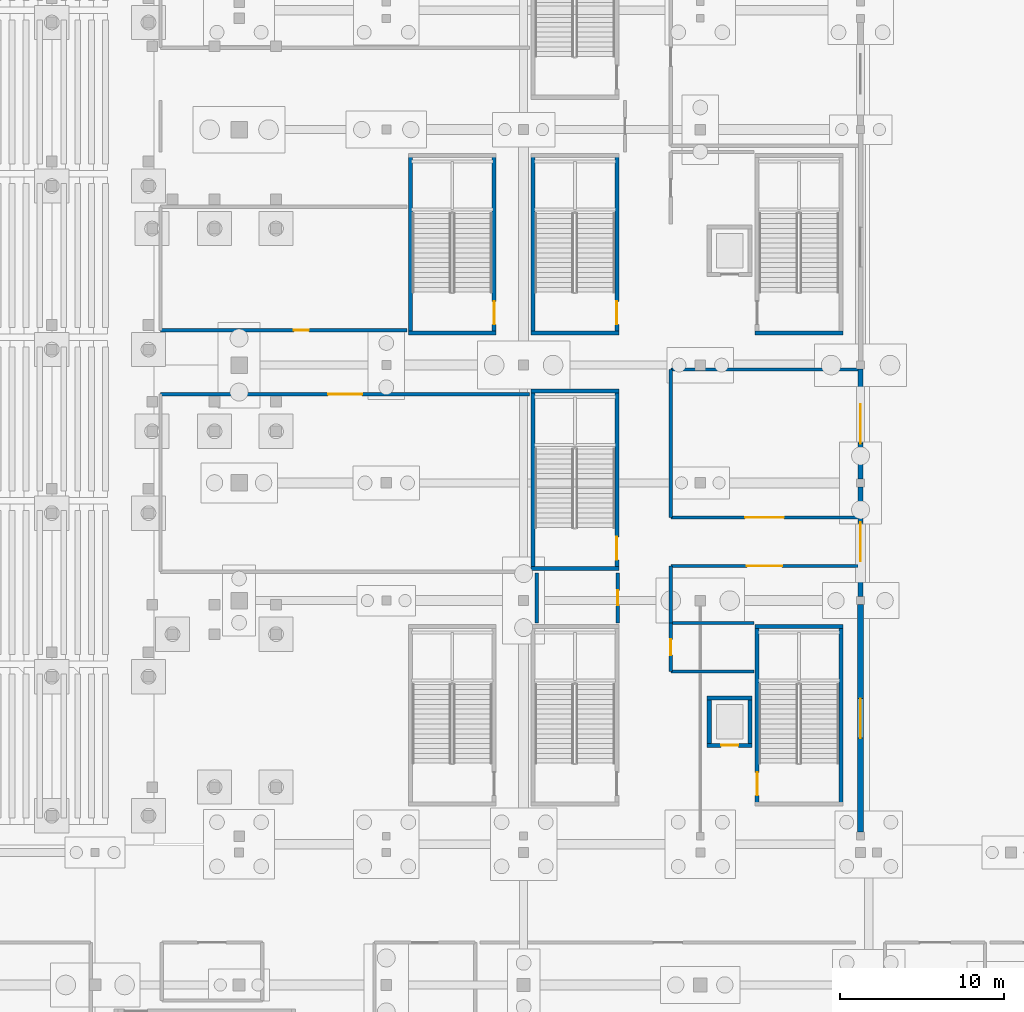
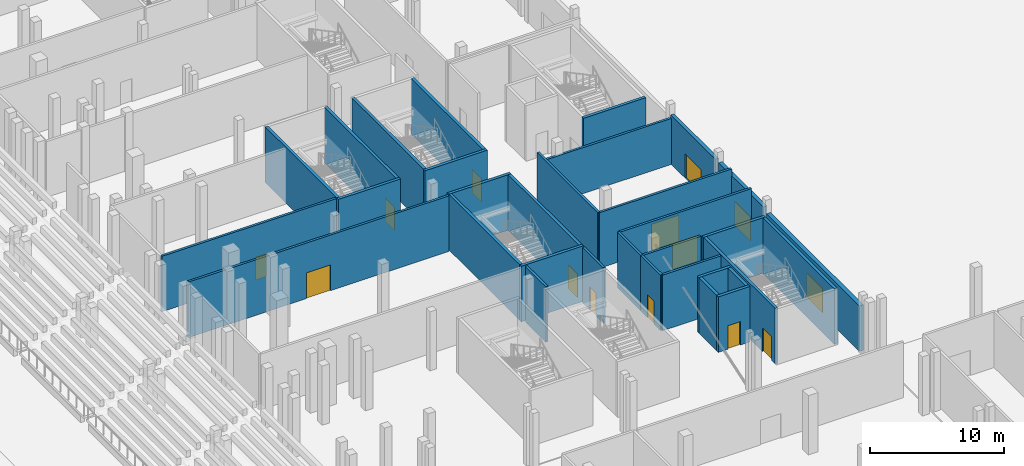
# One storey, part 42 of 89: 33 walls, 14 doors, 14 openings.
"""IFC4 building model written with IfcOpenShell, lengths in metres."""

import ifcopenshell
import ifcopenshell.guid

model = None  # the IFC model being written
_history = None  # IfcOwnerHistory: only IFC2X3 demands one
_inside = {}  # id of a spatial element -> (the spatial element, [elements in it])
_under = {}  # id of a project, library or spatial element -> (it, [spatial elements below it])
_declared = {}  # id of a project -> (the project, [libraries it declares])
_typed = {}  # id of a type object -> (the type object, [elements of that type])
_made_of = {}  # id of a material, layer set ... -> (it, [elements and type objects made of it])


def new_model(schema):
    """Start an empty IFC model of exactly this schema.

    Asked for "IFC4X3", IfcOpenShell would pick the latest addendum, in which some entities
    have other attributes; the version numbers below select the first issue.
    IFC2X3 requires an IfcOwnerHistory on every rooted entity: one is made here for all.
    """
    global model, _history
    if schema == "IFC4X3":
        model = ifcopenshell.file(schema_version=(4, 3, 0, 0))
    else:
        model = ifcopenshell.file(schema=schema)
    _inside.clear()
    _under.clear()
    _declared.clear()
    _typed.clear()
    _made_of.clear()
    _history = None
    if model.schema == "IFC2X3":
        org = make("IfcOrganization", Name="unknown")
        user = make(
            "IfcPersonAndOrganization",
            ThePerson=make("IfcPerson", FamilyName="unknown"),
            TheOrganization=org,
        )
        app = make(
            "IfcApplication",
            ApplicationDeveloper=org,
            Version="unknown",
            ApplicationFullName="unknown",
            ApplicationIdentifier="unknown",
        )
        _history = make(
            "IfcOwnerHistory",
            OwningUser=user,
            OwningApplication=app,
            ChangeAction="ADDED",
            CreationDate=0,
        )
    return model


def make(cls, **values):
    """One entity of the class cls with the attributes given. An attribute that is None is left unset."""
    return model.create_entity(
        cls, **{name: value for name, value in values.items() if value is not None}
    )


def rooted(cls, **values):
    """An entity with a GlobalId (a new one), such as an element, a storey or a relation."""
    return make(cls, GlobalId=ifcopenshell.guid.new(), OwnerHistory=_history, **values)


def si_unit(unit_type, name, prefix=None):
    """IfcSIUnit, for example si_unit("LENGTHUNIT", "METRE", prefix="MILLI")."""
    return make("IfcSIUnit", UnitType=unit_type, Prefix=prefix, Name=name)


def assignment(units):
    """IfcUnitAssignment: the units of a project."""
    return None if units is None else make("IfcUnitAssignment", Units=units)


def point(xyz):
    """IfcCartesianPoint."""
    return None if xyz is None else make("IfcCartesianPoint", Coordinates=xyz)


def direction(xyz):
    """IfcDirection."""
    return None if xyz is None else make("IfcDirection", DirectionRatios=xyz)


def frame(location, z_axis=None, x_axis=None):
    """IfcAxis2Placement3D, a coordinate frame: its origin and axes. An axis left out is left unset."""
    return make(
        "IfcAxis2Placement3D",
        Location=point(location),
        Axis=direction(z_axis),
        RefDirection=direction(x_axis),
    )


def frame_2d(location, x_axis=None):
    """IfcAxis2Placement2D, a coordinate frame in the plane: its origin and x axis."""
    return make(
        "IfcAxis2Placement2D", Location=point(location), RefDirection=direction(x_axis)
    )


def origin():
    """The frame at (0, 0, 0) with its axes left unset."""
    return frame((0.0, 0.0, 0.0))


def place(relative_to, where):
    """IfcLocalPlacement: puts the frame where relative to a parent placement (None: the world)."""
    return make(
        "IfcLocalPlacement", PlacementRelTo=relative_to, RelativePlacement=where
    )


def context(
    kind, dimensions, precision=None, world=None, true_north=None, identifier=None
):
    """IfcGeometricRepresentationContext, for example the 3D "Model" context."""
    return make(
        "IfcGeometricRepresentationContext",
        ContextIdentifier=identifier,
        ContextType=kind,
        CoordinateSpaceDimension=dimensions,
        Precision=precision,
        WorldCoordinateSystem=world,
        TrueNorth=true_north,
    )


def subcontext(parent, identifier, kind, view, scale=None):
    """IfcGeometricRepresentationSubContext, for example "Body" below "Model"."""
    return make(
        "IfcGeometricRepresentationSubContext",
        ContextIdentifier=identifier,
        ContextType=kind,
        ParentContext=parent,
        TargetScale=scale,
        TargetView=view,
    )


def project(units=None, contexts=None):
    """IfcProject with its units and contexts."""
    return rooted(
        "IfcProject",
        Name="project",
        RepresentationContexts=contexts,
        UnitsInContext=assignment(units),
    )


def spatial(cls, under=None, at=None, **own):
    """A site, building, storey or space (cls), placed at a placement, below another one or the project."""
    s = rooted(cls, ObjectPlacement=at, **own)
    if under is not None:
        _under.setdefault(under.id(), (under, []))[1].append(s)
    return s


def profile(cls, at=None, kind="AREA", **sizes):
    """A parametric profile (cls). Its sizes go by their IFC names, for example OverallWidth=200.0."""
    return make(cls, ProfileType=kind, Position=at, **sizes)


def rectangle(**sizes):
    """IfcRectangleProfileDef."""
    return profile("IfcRectangleProfileDef", **sizes)


def extrude(swept, where, along, depth):
    """IfcExtrudedAreaSolid: the profile swept, set in the frame where, extruded along a direction by depth."""
    return make(
        "IfcExtrudedAreaSolid",
        SweptArea=swept,
        Position=where,
        ExtrudedDirection=direction(along),
        Depth=depth,
    )


def shape(context_of_items, identifier, shape_type, items):
    """IfcShapeRepresentation: the items that make up one representation, for example the "Body"."""
    return make(
        "IfcShapeRepresentation",
        ContextOfItems=context_of_items,
        RepresentationIdentifier=identifier,
        RepresentationType=shape_type,
        Items=items,
    )


def material(Name=None, Category=None):
    """IfcMaterial."""
    return make("IfcMaterial", Name=Name, Category=Category)


def layer(
    of_material, thickness, ventilated=None, Name=None, Category=None, Priority=None
):
    """IfcMaterialLayer: one layer of a wall or slab, of a material (None: an air gap)."""
    return make(
        "IfcMaterialLayer",
        Material=of_material,
        LayerThickness=thickness,
        IsVentilated=ventilated,
        Name=Name,
        Category=Category,
        Priority=Priority,
    )


def layer_set(layers, Name=None):
    """IfcMaterialLayerSet."""
    return make("IfcMaterialLayerSet", MaterialLayers=layers, LayerSetName=Name)


def made_of(thing, what):
    """Note that an element or type object is made of a material, layer set ...; save() writes the relation."""
    if what is not None:
        _made_of.setdefault(what.id(), (what, []))[1].append(thing)
    return thing


def type_object(cls, material=None, **own):
    """A type object (cls), such as IfcWallType, which elements share."""
    return made_of(rooted(cls, **own), material)


def element(
    cls,
    number,
    at=None,
    inside=None,
    cuts=None,
    type_object=None,
    material=None,
    context=None,
    identifier="Body",
    shape_type=None,
    held_by="IfcProductDefinitionShape",
    body=None,
    shapes=None,
    **own,
):
    """One element of the class cls, such as IfcWall. Its Tag is "e" and its number.

    at: its placement. inside: the storey or other place that contains it. cuts: it is an
    opening in that element (IfcRelVoidsElement). A single representation is given by context,
    identifier, shape_type and body (its items); several are given by shapes. held_by: the class
    of the entity that holds the representations. save() writes the other relations.
    """
    e = rooted(cls, Tag="e%d" % number, ObjectPlacement=at, **own)
    if body is not None:
        shapes = [shape(context, identifier, shape_type, body)]
    if shapes is not None:
        e.Representation = make(held_by, Representations=shapes)
    if inside is not None:
        _inside.setdefault(inside.id(), (inside, []))[1].append(e)
    if cuts is not None:
        rooted(
            "IfcRelVoidsElement", RelatingBuildingElement=cuts, RelatedOpeningElement=e
        )
    if type_object is not None:
        _typed.setdefault(type_object.id(), (type_object, []))[1].append(e)
    return made_of(e, material)


def fill(opening, filler):
    """IfcRelFillsElement: the door or window that sits in an opening."""
    return rooted(
        "IfcRelFillsElement",
        RelatingOpeningElement=opening,
        RelatedBuildingElement=filler,
    )


def aggregate(whole, parts):
    """IfcRelAggregates: a whole, such as a stair, and the parts it consists of."""
    return rooted("IfcRelAggregates", RelatingObject=whole, RelatedObjects=parts)


def save(model, path):
    """Write the relations noted so far, then the file.

    IfcRelAggregates (storeys below a building ...), IfcRelContainedInSpatialStructure (elements
    in a storey), IfcRelDefinesByType, IfcRelAssociatesMaterial and IfcRelDeclares: one each for
    every whole, place, type object, material and project.
    """
    for whole, parts in _under.values():
        aggregate(whole, parts)
    for where, things in _inside.values():
        rooted(
            "IfcRelContainedInSpatialStructure",
            RelatedElements=things,
            RelatingStructure=where,
        )
    for kind, things in _typed.values():
        rooted("IfcRelDefinesByType", RelatedObjects=things, RelatingType=kind)
    for what, things in _made_of.values():
        rooted("IfcRelAssociatesMaterial", RelatedObjects=things, RelatingMaterial=what)
    for by, libraries in _declared.values():
        rooted("IfcRelDeclares", RelatingContext=by, RelatedDefinitions=libraries)
    model.write(path)


model = new_model("IFC4")

# Units and contexts
model_context = context("Model", 3, precision=1e-05, world=origin(), true_north=direction((0.0, 1.0)))
body_context = subcontext(model_context, "Body", "Model", "MODEL_VIEW")
ifc_project = project(units=[si_unit("LENGTHUNIT", "METRE"), si_unit("AREAUNIT", "SQUARE_METRE"), si_unit("VOLUMEUNIT", "CUBIC_METRE"), si_unit("PLANEANGLEUNIT", "RADIAN"), si_unit("MASSUNIT", "GRAM", prefix="KILO")], contexts=[model_context])

# Site, building, storey
site_placement = place(None, origin())
site = spatial("IfcSite", under=ifc_project, at=site_placement, CompositionType="ELEMENT")
building_placement = place(site_placement, origin())
building = spatial("IfcBuilding", under=site, at=building_placement, Name="Koshinbarg Plaza Stadium", CompositionType="ELEMENT")
storey_placement = place(building_placement, origin())
storey = spatial("IfcBuildingStorey", under=building, at=storey_placement, Name="L00", CompositionType="ELEMENT", Elevation=0.0)

# Wall
ifc_material_1 = material(Name="Concrete C40/50", Category="concrete")
ifc_layer_1 = layer(ifc_material_1, 0.25)
ifc_layer_set_1 = layer_set([ifc_layer_1], Name="Concrete C40/50")
wall_type_1 = type_object("IfcWallType", Name="WL-CORE-250", PredefinedType="SHEAR", material=ifc_layer_set_1)
wall_1_placement = place(storey_placement, frame((217.320068359375, 38.324951171875, 0.0), z_axis=(0.0, 0.0, 1.0), x_axis=(-1.0, 0.0, 0.0)))
element("IfcWall", 1, at=wall_1_placement, inside=storey, type_object=wall_type_1, Name="L00 core stair shear wall C07-far IWL-L00-0163", PredefinedType="SHEAR", context=body_context, shape_type="SweptSolid", body=[
    extrude(rectangle(XDim=5.3701171875, YDim=0.25, at=frame_2d((2.68505859375, 0.0))), origin(), (0.0, 0.0, 1.0), 5.080078125),
])

# Wall, opening, door
wall_2_placement = place(storey_placement, frame((212.074951171875, 27.47509765625, 0.0), z_axis=(0.0, 0.0, 1.0), x_axis=(0.0, 1.0, 0.0)))
wall_2 = element("IfcWall", 2, at=wall_2_placement, inside=storey, type_object=wall_type_1, Name="L00 core stair shear wall C07-left IWL-L00-0164", PredefinedType="SHEAR", context=body_context, shape_type="SweptSolid", body=[
    extrude(rectangle(XDim=10.849853515625, YDim=0.25, at=frame_2d((5.4248046875, 0.0))), origin(), (0.0, 0.0, 1.0), 5.080078125),
])
opening_1_placement = place(wall_2_placement, frame((0.52001953125, 0.0, 0.0)))
opening_1 = element("IfcOpeningElement", 3, at=opening_1_placement, cuts=wall_2, Name="Opening D-0103", PredefinedType="OPENING", context=body_context, shape_type="SweptSolid", body=[
    extrude(rectangle(XDim=1.39990234375, YDim=2.14990234375, at=frame_2d((0.699951171875, 1.074951171875))), frame((0.0, 0.135009765625, 0.0), z_axis=(0.0, -1.0, 0.0), x_axis=(1.0, 0.0, 0.0)), (0.0, 0.0, 1.0), 0.27001953125),
])
ifc_material_2 = material(Name="Painted galvanized steel fire door", Category="steel")
door_type_1 = type_object("IfcDoorType", Name="DR-STAIR-1400", OperationType="NOTDEFINED", PredefinedType="DOOR", material=ifc_material_2)
door_1_placement = place(opening_1_placement, origin())
door_1 = element("IfcDoor", 4, at=door_1_placement, inside=storey, type_object=door_type_1, Name="L00 exit stair door C07", OperationType="SINGLE_SWING_RIGHT", OverallHeight=2.14990234375, OverallWidth=1.39990234375, PredefinedType="DOOR", context=body_context, shape_type="SweptSolid", body=[
    extrude(rectangle(XDim=1.39990234375, YDim=2.14990234375, at=frame_2d((0.699951171875, 1.074951171875))), frame((0.0, 0.02490234375, 0.0), z_axis=(0.0, -1.0, 0.0), x_axis=(1.0, 0.0, 0.0)), (0.0, 0.0, 1.0), 0.050048828125),
])
fill(opening_1, door_1)

# Walls
wall_3_placement = place(storey_placement, frame((217.195068359375, 27.47509765625, 0.0), z_axis=(0.0, 0.0, 1.0), x_axis=(0.0, 1.0, 0.0)))
element("IfcWall", 5, at=wall_3_placement, inside=storey, type_object=wall_type_1, Name="L00 core stair shear wall C07-right IWL-L00-0165", PredefinedType="SHEAR", context=body_context, shape_type="SweptSolid", body=[
    extrude(rectangle(XDim=10.849853515625, YDim=0.25, at=frame_2d((5.4248046875, 0.0))), origin(), (0.0, 0.0, 1.0), 5.080078125),
])
for number, where, z_axis, x_axis, name in (
    (6, (211.949951171875, 56.27490234375, 0.0), (0.0, 0.0, 1.0), (1.0, 0.0, 0.0), "L00 core stair shear wall C08-near IWL-L00-0186"),
    (7, (198.25, 41.875, 0.0), (0.0, 0.0, 1.0), (1.0, 0.0, 0.0), "L00 vomitory stair shear wall VX08-near IWL-L00-0466"),
    (8, (203.6201171875, 52.72509765625, 0.0), (0.0, 0.0, 1.0), (-1.0, 0.0, 0.0), "L00 vomitory stair shear wall VX08-far IWL-L00-0467"),
):
    element("IfcWall", number, at=place(storey_placement, frame(where, z_axis=z_axis, x_axis=x_axis)), inside=storey, type_object=wall_type_1, Name=name, PredefinedType="SHEAR", context=body_context, shape_type="SweptSolid", body=[
        extrude(rectangle(XDim=5.3701171875, YDim=0.25, at=frame_2d((2.68505859375, 0.0))), origin(), (0.0, 0.0, 1.0), 5.080078125),
    ])
wall_4_placement = place(storey_placement, frame((198.375, 41.875, 0.0), z_axis=(0.0, 0.0, 1.0), x_axis=(0.0, 1.0, 0.0)))
element("IfcWall", 9, at=wall_4_placement, inside=storey, type_object=wall_type_1, Name="L00 vomitory stair shear wall VX08-left IWL-L00-0468", PredefinedType="SHEAR", context=body_context, shape_type="SweptSolid", body=[
    extrude(rectangle(XDim=10.85009765625, YDim=0.25, at=frame_2d((5.425048828125, 0.0))), origin(), (0.0, 0.0, 1.0), 5.080078125),
])

# Wall, opening, door
wall_5_placement = place(storey_placement, frame((203.4951171875, 41.875, 0.0), z_axis=(0.0, 0.0, 1.0), x_axis=(0.0, 1.0, 0.0)))
wall_5 = element("IfcWall", 10, at=wall_5_placement, inside=storey, type_object=wall_type_1, Name="L00 vomitory stair shear wall VX08-right IWL-L00-0469", PredefinedType="SHEAR", context=body_context, shape_type="SweptSolid", body=[
    extrude(rectangle(XDim=10.85009765625, YDim=0.25, at=frame_2d((5.425048828125, 0.0))), origin(), (0.0, 0.0, 1.0), 5.080078125),
])
opening_2_placement = place(wall_5_placement, frame((0.52001953125, 0.0, 0.0)))
opening_2 = element("IfcOpeningElement", 11, at=opening_2_placement, cuts=wall_5, Name="Opening D-0179", PredefinedType="OPENING", context=body_context, shape_type="SweptSolid", body=[
    extrude(rectangle(XDim=1.39990234375, YDim=2.14990234375, at=frame_2d((0.699951171875, 1.074951171875))), frame((0.0, 0.135009765625, 0.0), z_axis=(0.0, -1.0, 0.0), x_axis=(1.0, 0.0, 0.0)), (0.0, 0.0, 1.0), 0.27001953125),
])
door_2_placement = place(opening_2_placement, frame((1.39990234375, 0.0, 0.0), z_axis=(0.0, 0.0, 1.0), x_axis=(-1.0, 0.0, 0.0)))
door_2 = element("IfcDoor", 12, at=door_2_placement, inside=storey, type_object=door_type_1, Name="L00 vomitory exit stair door VX08", OperationType="SINGLE_SWING_LEFT", OverallHeight=2.14990234375, OverallWidth=1.39990234375, PredefinedType="DOOR", context=body_context, shape_type="SweptSolid", body=[
    extrude(rectangle(XDim=1.39990234375, YDim=2.14990234375, at=frame_2d((0.699951171875, 1.074951171875))), frame((0.0, 0.02490234375, 0.0), z_axis=(0.0, -1.0, 0.0), x_axis=(1.0, 0.0, 0.0)), (0.0, 0.0, 1.0), 0.050048828125),
])
fill(opening_2, door_2)

# Walls
wall_6_placement = place(storey_placement, frame((198.25, 56.27490234375, 0.0), z_axis=(0.0, 0.0, 1.0), x_axis=(1.0, 0.0, 0.0)))
element("IfcWall", 13, at=wall_6_placement, inside=storey, type_object=wall_type_1, Name="L00 vomitory stair shear wall VX09-near IWL-L00-0482", PredefinedType="SHEAR", context=body_context, shape_type="SweptSolid", body=[
    extrude(rectangle(XDim=5.3701171875, YDim=0.25, at=frame_2d((2.68505859375, 0.0))), origin(), (0.0, 0.0, 1.0), 5.080078125),
])
wall_7_placement = place(storey_placement, frame((198.375, 56.27490234375, 0.0), z_axis=(0.0, 0.0, 1.0), x_axis=(0.0, 1.0, 0.0)))
element("IfcWall", 14, at=wall_7_placement, inside=storey, type_object=wall_type_1, Name="L00 vomitory stair shear wall VX09-left IWL-L00-0484", PredefinedType="SHEAR", context=body_context, shape_type="SweptSolid", body=[
    extrude(rectangle(XDim=10.85009765625, YDim=0.25, at=frame_2d((5.425048828125, 0.0))), origin(), (0.0, 0.0, 1.0), 5.080078125),
])

# Wall, opening, door
wall_8_placement = place(storey_placement, frame((203.4951171875, 56.27490234375, 0.0), z_axis=(0.0, 0.0, 1.0), x_axis=(0.0, 1.0, 0.0)))
wall_8 = element("IfcWall", 15, at=wall_8_placement, inside=storey, type_object=wall_type_1, Name="L00 vomitory stair shear wall VX09-right IWL-L00-0485", PredefinedType="SHEAR", context=body_context, shape_type="SweptSolid", body=[
    extrude(rectangle(XDim=10.85009765625, YDim=0.25, at=frame_2d((5.425048828125, 0.0))), origin(), (0.0, 0.0, 1.0), 5.080078125),
])
opening_3_placement = place(wall_8_placement, frame((0.52001953125, 0.0, 0.0)))
opening_3 = element("IfcOpeningElement", 16, at=opening_3_placement, cuts=wall_8, Name="Opening D-0183", PredefinedType="OPENING", context=body_context, shape_type="SweptSolid", body=[
    extrude(rectangle(XDim=1.39990234375, YDim=2.14990234375, at=frame_2d((0.699951171875, 1.074951171875))), frame((0.0, 0.135009765625, 0.0), z_axis=(0.0, -1.0, 0.0), x_axis=(1.0, 0.0, 0.0)), (0.0, 0.0, 1.0), 0.27001953125),
])
door_3_placement = place(opening_3_placement, frame((1.39990234375, 0.0, 0.0), z_axis=(0.0, 0.0, 1.0), x_axis=(-1.0, 0.0, 0.0)))
door_3 = element("IfcDoor", 17, at=door_3_placement, inside=storey, type_object=door_type_1, Name="L00 vomitory exit stair door VX09", OperationType="SINGLE_SWING_RIGHT", OverallHeight=2.14990234375, OverallWidth=1.39990234375, PredefinedType="DOOR", context=body_context, shape_type="SweptSolid", body=[
    extrude(rectangle(XDim=1.39990234375, YDim=2.14990234375, at=frame_2d((0.699951171875, 1.074951171875))), frame((0.0, 0.02490234375, 0.0), z_axis=(0.0, -1.0, 0.0), x_axis=(1.0, 0.0, 0.0)), (0.0, 0.0, 1.0), 0.050048828125),
])
fill(opening_3, door_3)

# Walls
wall_9_placement = place(storey_placement, frame((190.75, 56.27490234375, 0.0), z_axis=(0.0, 0.0, 1.0), x_axis=(1.0, 0.0, 0.0)))
element("IfcWall", 18, at=wall_9_placement, inside=storey, type_object=wall_type_1, Name="L00 vomitory stair shear wall VL06-near IWL-L00-0586", PredefinedType="SHEAR", context=body_context, shape_type="SweptSolid", body=[
    extrude(rectangle(XDim=5.3701171875, YDim=0.25, at=frame_2d((2.68505859375, 0.0))), origin(), (0.0, 0.0, 1.0), 5.080078125),
])
wall_10_placement = place(storey_placement, frame((190.875, 56.27490234375, 0.0), z_axis=(0.0, 0.0, 1.0), x_axis=(0.0, 1.0, 0.0)))
element("IfcWall", 19, at=wall_10_placement, inside=storey, type_object=wall_type_1, Name="L00 vomitory stair shear wall VL06-left IWL-L00-0588", PredefinedType="SHEAR", context=body_context, shape_type="SweptSolid", body=[
    extrude(rectangle(XDim=10.85009765625, YDim=0.25, at=frame_2d((5.425048828125, 0.0))), origin(), (0.0, 0.0, 1.0), 5.080078125),
])

# Wall, opening, door
wall_11_placement = place(storey_placement, frame((195.9951171875, 56.27490234375, 0.0), z_axis=(0.0, 0.0, 1.0), x_axis=(0.0, 1.0, 0.0)))
wall_11 = element("IfcWall", 20, at=wall_11_placement, inside=storey, type_object=wall_type_1, Name="L00 vomitory stair shear wall VL06-right IWL-L00-0589", PredefinedType="SHEAR", context=body_context, shape_type="SweptSolid", body=[
    extrude(rectangle(XDim=10.85009765625, YDim=0.25, at=frame_2d((5.425048828125, 0.0))), origin(), (0.0, 0.0, 1.0), 5.080078125),
])
opening_4_placement = place(wall_11_placement, frame((0.52001953125, 0.0, 0.0)))
opening_4 = element("IfcOpeningElement", 21, at=opening_4_placement, cuts=wall_11, Name="Opening D-0209", PredefinedType="OPENING", context=body_context, shape_type="SweptSolid", body=[
    extrude(rectangle(XDim=1.39990234375, YDim=2.14990234375, at=frame_2d((0.699951171875, 1.074951171875))), frame((0.0, 0.135009765625, 0.0), z_axis=(0.0, -1.0, 0.0), x_axis=(1.0, 0.0, 0.0)), (0.0, 0.0, 1.0), 0.27001953125),
])
door_4_placement = place(opening_4_placement, frame((1.39990234375, 0.0, 0.0), z_axis=(0.0, 0.0, 1.0), x_axis=(-1.0, 0.0, 0.0)))
door_4 = element("IfcDoor", 22, at=door_4_placement, inside=storey, type_object=door_type_1, Name="L00 vomitory exit stair door VL06", OperationType="SINGLE_SWING_LEFT", OverallHeight=2.14990234375, OverallWidth=1.39990234375, PredefinedType="DOOR", context=body_context, shape_type="SweptSolid", body=[
    extrude(rectangle(XDim=1.39990234375, YDim=2.14990234375, at=frame_2d((0.699951171875, 1.074951171875))), frame((0.0, 0.02490234375, 0.0), z_axis=(0.0, -1.0, 0.0), x_axis=(1.0, 0.0, 0.0)), (0.0, 0.0, 1.0), 0.050048828125),
])
fill(opening_4, door_4)

wall_12_placement = place(storey_placement, frame((209.02490234375, 31.050048828125, 0.0), z_axis=(0.0, 0.0, 1.0), x_axis=(1.0, 0.0, 0.0)))
wall_12 = element("IfcWall", 23, at=wall_12_placement, inside=storey, type_object=wall_type_1, Name="L00 lift shaft shear wall LP03-S IWL-L00-0862", PredefinedType="SHEAR", context=body_context, shape_type="SweptSolid", body=[
    extrude(rectangle(XDim=2.75, YDim=0.25, at=frame_2d((1.375, 0.0))), origin(), (0.0, 0.0, 1.0), 5.080078125),
])
opening_5_placement = place(wall_12_placement, frame((0.85009765625, 0.0, 0.0)))
opening_5 = element("IfcOpeningElement", 24, at=opening_5_placement, cuts=wall_12, Name="Opening D-0285", PredefinedType="OPENING", context=body_context, shape_type="SweptSolid", body=[
    extrude(rectangle(XDim=1.050048828125, YDim=2.14990234375, at=frame_2d((0.52490234375, 1.074951171875))), frame((0.0, 0.135009765625, 0.0), z_axis=(0.0, -1.0, 0.0), x_axis=(1.0, 0.0, 0.0)), (0.0, 0.0, 1.0), 0.27001953125),
])
ifc_material_3 = material(Name="Brushed stainless steel sliding lift landing door", Category="steel")
door_type_2 = type_object("IfcDoorType", Name="DR-LIFT-1050", OperationType="NOTDEFINED", PredefinedType="DOOR", material=ifc_material_3)
door_5_placement = place(opening_5_placement, origin())
door_5 = element("IfcDoor", 25, at=door_5_placement, inside=storey, type_object=door_type_2, Name="L00 lift landing door LP03", OperationType="SLIDING_TO_RIGHT", OverallHeight=2.14990234375, OverallWidth=1.050048828125, PredefinedType="DOOR", context=body_context, shape_type="SweptSolid", body=[
    extrude(rectangle(XDim=1.050048828125, YDim=2.14990234375, at=frame_2d((0.52490234375, 1.074951171875))), frame((0.0, 0.02490234375, 0.0), z_axis=(0.0, -1.0, 0.0), x_axis=(1.0, 0.0, 0.0)), (0.0, 0.0, 1.0), 0.050048828125),
])
fill(opening_5, door_5)

# Walls
wall_13_placement = place(storey_placement, frame((211.77490234375, 33.949951171875, 0.0), z_axis=(0.0, 0.0, 1.0), x_axis=(-1.0, 0.0, 0.0)))
element("IfcWall", 26, at=wall_13_placement, inside=storey, type_object=wall_type_1, Name="L00 lift shaft shear wall LP03-N IWL-L00-0863", PredefinedType="SHEAR", context=body_context, shape_type="SweptSolid", body=[
    extrude(rectangle(XDim=2.75, YDim=0.25, at=frame_2d((1.375, 0.0))), origin(), (0.0, 0.0, 1.0), 5.080078125),
])
for number, where, z_axis, x_axis, name in (
    (27, (209.14990234375, 33.949951171875, 0.0), (0.0, 0.0, 1.0), (0.0, -1.0, 0.0), "L00 lift shaft shear wall LP03-W IWL-L00-0864"),
    (28, (211.64990234375, 31.050048828125, 0.0), (0.0, 0.0, 1.0), (0.0, 1.0, 0.0), "L00 lift shaft shear wall LP03-E IWL-L00-0865"),
):
    element("IfcWall", number, at=place(storey_placement, frame(where, z_axis=z_axis, x_axis=x_axis)), inside=storey, type_object=wall_type_1, Name=name, PredefinedType="SHEAR", context=body_context, shape_type="SweptSolid", body=[
        extrude(rectangle(XDim=2.89990234375, YDim=0.25, at=frame_2d((1.449951171875, 0.0))), origin(), (0.0, 0.0, 1.0), 5.080078125),
    ])

# Wall, opening, door
ifc_material_4 = material(Name="Off-white mineral plaster insulated wall", Category="masonry")
ifc_layer_2 = layer(ifc_material_4, 0.300048828125)
ifc_layer_set_2 = layer_set([ifc_layer_2], Name="Off-white mineral plaster insulated wall")
wall_type_2 = type_object("IfcWallType", Name="WL-EXT-300", PredefinedType="SOLIDWALL", material=ifc_layer_set_2)
wall_14_placement = place(storey_placement, frame((218.39990234375, 54.054931640625, 0.0), z_axis=(0.0, 0.0, 1.0), x_axis=(0.0, -1.0, 0.0)))
wall_14 = element("IfcWall", 29, at=wall_14_placement, inside=storey, type_object=wall_type_2, Name="L00 exterior envelope wall EWL-L00-0045", PredefinedType="SOLIDWALL", context=body_context, shape_type="SweptSolid", body=[
    extrude(rectangle(XDim=6.7099609375, YDim=0.300048828125, at=frame_2d((3.35498046875, 0.0))), origin(), (0.0, 0.0, 1.0), 4.4599609375),
])
opening_6_placement = place(wall_14_placement, frame((2.155029296875, 0.0, 0.0)))
opening_6 = element("IfcOpeningElement", 30, at=opening_6_placement, cuts=wall_14, Name="Opening D-0046", PredefinedType="OPENING", context=body_context, shape_type="SweptSolid", body=[
    extrude(rectangle(XDim=2.39990234375, YDim=2.199951171875, at=frame_2d((1.199951171875, 1.10009765625))), frame((0.0, 0.159912109375, 0.0), z_axis=(0.0, -1.0, 0.0), x_axis=(1.0, 0.0, 0.0)), (0.0, 0.0, 1.0), 0.320068359375),
])
ifc_material_5 = material(Name="Anodised aluminium thermally broken exit door", Category="aluminium")
door_type_3 = type_object("IfcDoorType", Name="DR-EXIT-2400", OperationType="NOTDEFINED", PredefinedType="DOOR", material=ifc_material_5)
door_6_placement = place(opening_6_placement, origin())
door_6 = element("IfcDoor", 31, at=door_6_placement, inside=storey, type_object=door_type_3, Name="Main exit E45", OperationType="DOUBLE_DOOR_SINGLE_SWING", OverallHeight=2.199951171875, OverallWidth=2.39990234375, PredefinedType="DOOR", context=body_context, shape_type="SweptSolid", body=[
    extrude(rectangle(XDim=2.39990234375, YDim=2.199951171875, at=frame_2d((1.199951171875, 1.10009765625))), frame((0.0, 0.02490234375, 0.0), z_axis=(0.0, -1.0, 0.0), x_axis=(1.0, 0.0, 0.0)), (0.0, 0.0, 1.0), 0.050048828125),
])
fill(opening_6, door_6)

ifc_material_6 = material(Name="Ultramarine-blue pigmented mineral plaster facade wall", Category="masonry")
ifc_layer_3 = layer(ifc_material_6, 0.320068359375)
ifc_layer_set_3 = layer_set([ifc_layer_3], Name="Ultramarine-blue pigmented mineral plaster facade wall")
wall_type_3 = type_object("IfcWallType", Name="WL-EXT-320", PredefinedType="SOLIDWALL", material=ifc_layer_set_3)
wall_15_placement = place(storey_placement, frame((218.39990234375, 46.85498046875, 0.0), z_axis=(0.0, 0.0, 1.0), x_axis=(0.0, -1.0, 0.0)))
wall_15 = element("IfcWall", 32, at=wall_15_placement, inside=storey, type_object=wall_type_3, Name="L00 exterior envelope wall EWL-L00-0046", PredefinedType="SOLIDWALL", context=body_context, shape_type="SweptSolid", body=[
    extrude(rectangle(XDim=6.7099609375, YDim=0.320068359375, at=frame_2d((3.35498046875, 0.0))), origin(), (0.0, 0.0, 1.0), 4.4599609375),
])
opening_7_placement = place(wall_15_placement, frame((2.155029296875, 0.0, 0.0)))
opening_7 = element("IfcOpeningElement", 33, at=opening_7_placement, cuts=wall_15, Name="Opening D-0047", PredefinedType="OPENING", context=body_context, shape_type="SweptSolid", body=[
    extrude(rectangle(XDim=2.39990234375, YDim=2.199951171875, at=frame_2d((1.199951171875, 1.10009765625))), frame((0.0, 0.169921875, 0.0), z_axis=(0.0, -1.0, 0.0), x_axis=(1.0, 0.0, 0.0)), (0.0, 0.0, 1.0), 0.340087890625),
])
door_7_placement = place(opening_7_placement, origin())
door_7 = element("IfcDoor", 34, at=door_7_placement, inside=storey, type_object=door_type_3, Name="Main exit E46", OperationType="DOUBLE_DOOR_SINGLE_SWING", OverallHeight=2.199951171875, OverallWidth=2.39990234375, PredefinedType="DOOR", context=body_context, shape_type="SweptSolid", body=[
    extrude(rectangle(XDim=2.39990234375, YDim=2.199951171875, at=frame_2d((1.199951171875, 1.10009765625))), frame((0.0, 0.02490234375, 0.0), z_axis=(0.0, -1.0, 0.0), x_axis=(1.0, 0.0, 0.0)), (0.0, 0.0, 1.0), 0.050048828125),
])
fill(opening_7, door_7)

ifc_material_7 = material(Name="Acoustic insulated masonry stadium wall", Category="masonry")
ifc_layer_4 = layer(ifc_material_7, 0.35009765625)
ifc_layer_set_4 = layer_set([ifc_layer_4], Name="Acoustic insulated masonry stadium wall")
wall_type_4 = type_object("IfcWallType", Name="WL-EXT-350", PredefinedType="SOLIDWALL", material=ifc_layer_set_4)
wall_16_placement = place(storey_placement, frame((218.39990234375, 39.655029296875, 0.0), z_axis=(0.0, 0.0, 1.0), x_axis=(0.0, -1.0, 0.0)))
wall_16 = element("IfcWall", 35, at=wall_16_placement, inside=storey, type_object=wall_type_4, Name="L00 exterior envelope wall EWL-L00-0047", PredefinedType="SOLIDWALL", context=body_context, shape_type="SweptSolid", body=[
    extrude(rectangle(XDim=13.909912109375, YDim=0.35009765625, at=frame_2d((6.955078125, 0.0))), origin(), (0.0, 0.0, 1.0), 4.159912109375),
])
opening_8_placement = place(wall_16_placement, frame((5.7548828125, 0.0, 0.0)))
opening_8 = element("IfcOpeningElement", 36, at=opening_8_placement, cuts=wall_16, Name="Opening D-0048", PredefinedType="OPENING", context=body_context, shape_type="SweptSolid", body=[
    extrude(rectangle(XDim=2.39990234375, YDim=2.199951171875, at=frame_2d((1.199951171875, 1.10009765625))), frame((0.0, 0.18505859375, 0.0), z_axis=(0.0, -1.0, 0.0), x_axis=(1.0, 0.0, 0.0)), (0.0, 0.0, 1.0), 0.3701171875),
])
door_8_placement = place(opening_8_placement, origin())
door_8 = element("IfcDoor", 37, at=door_8_placement, inside=storey, type_object=door_type_3, Name="Main exit E47", OperationType="DOUBLE_DOOR_SINGLE_SWING", OverallHeight=2.199951171875, OverallWidth=2.39990234375, PredefinedType="DOOR", context=body_context, shape_type="SweptSolid", body=[
    extrude(rectangle(XDim=2.39990234375, YDim=2.199951171875, at=frame_2d((1.199951171875, 1.10009765625))), frame((0.0, 0.02490234375, 0.0), z_axis=(0.0, -1.0, 0.0), x_axis=(1.0, 0.0, 0.0)), (0.0, 0.0, 1.0), 0.050048828125),
])
fill(opening_8, door_8)

ifc_material_8 = material(Name="Autoclaved aerated blockwork fire partition", Category="masonry")
ifc_layer_5 = layer(ifc_material_8, 0.199951171875)
ifc_layer_set_5 = layer_set([ifc_layer_5], Name="Autoclaved aerated blockwork fire partition")
wall_type_5 = type_object("IfcWallType", Name="WL-PART-200", PredefinedType="PARTITIONING", material=ifc_layer_set_5)
wall_17_placement = place(storey_placement, frame((203.550048828125, 38.530029296875, 0.0), z_axis=(0.0, 0.0, 1.0), x_axis=(0.0, 1.0, 0.0)))
wall_17 = element("IfcWall", 38, at=wall_17_placement, inside=storey, type_object=wall_type_5, Name="L00 interior partition L00-71-east IWL-L00-1066", PredefinedType="PARTITIONING", context=body_context, shape_type="SweptSolid", body=[
    extrude(rectangle(XDim=3.070068359375, YDim=0.199951171875, at=frame_2d((1.53515625, 0.0))), origin(), (0.0, 0.0, 1.0), 5.080078125),
])
opening_9_placement = place(wall_17_placement, frame((1.074951171875, 0.0, 0.0)))
opening_9 = element("IfcOpeningElement", 39, at=opening_9_placement, cuts=wall_17, Name="Opening D-0340", PredefinedType="OPENING", context=body_context, shape_type="SweptSolid", body=[
    extrude(rectangle(XDim=0.919921875, YDim=2.10009765625, at=frame_2d((0.4599609375, 1.050048828125))), frame((0.0, 0.10986328125, 0.0), z_axis=(0.0, -1.0, 0.0), x_axis=(1.0, 0.0, 0.0)), (0.0, 0.0, 1.0), 0.219970703125),
])
ifc_material_9 = material(Name="Solid-core oak veneer acoustic door")
door_type_4 = type_object("IfcDoorType", Name="DR-INT-0920x2100", OperationType="NOTDEFINED", PredefinedType="DOOR", material=ifc_material_9)
door_9_placement = place(opening_9_placement, origin())
door_9 = element("IfcDoor", 40, at=door_9_placement, inside=storey, type_object=door_type_4, Name="L00 Public Restroom 2 door D-0340", OperationType="SINGLE_SWING_RIGHT", OverallHeight=2.10009765625, OverallWidth=0.919921875, PredefinedType="DOOR", context=body_context, shape_type="SweptSolid", body=[
    extrude(rectangle(XDim=0.919921875, YDim=2.10009765625, at=frame_2d((0.4599609375, 1.050048828125))), frame((0.0, 0.02490234375, 0.0), z_axis=(0.0, -1.0, 0.0), x_axis=(1.0, 0.0, 0.0)), (0.0, 0.0, 1.0), 0.050048828125),
])
fill(opening_9, door_9)

# Wall
wall_18_placement = place(storey_placement, frame((198.60009765625, 41.60009765625, 0.0), z_axis=(0.0, 0.0, 1.0), x_axis=(0.0, -1.0, 0.0)))
element("IfcWall", 41, at=wall_18_placement, inside=storey, type_object=wall_type_5, Name="L00 interior partition L00-71-west IWL-L00-1067", PredefinedType="PARTITIONING", context=body_context, shape_type="SweptSolid", body=[
    extrude(rectangle(XDim=3.070068359375, YDim=0.199951171875, at=frame_2d((1.53515625, 0.0))), origin(), (0.0, 0.0, 1.0), 5.080078125),
])

# Wall, opening, door
wall_19_placement = place(storey_placement, frame((198.169921875, 52.52001953125, 0.0), z_axis=(0.0, 0.0, 1.0), x_axis=(-1.0, 0.0, 0.0)))
wall_19 = element("IfcWall", 42, at=wall_19_placement, inside=storey, type_object=wall_type_5, Name="L00 interior partition L00-95-north IWL-L00-1130", PredefinedType="PARTITIONING", context=body_context, shape_type="SweptSolid", body=[
    extrude(rectangle(XDim=22.56982421875, YDim=0.199951171875, at=frame_2d((11.284912109375, 0.0))), origin(), (0.0, 0.0, 1.0), 5.080078125),
])
opening_10_placement = place(wall_19_placement, frame((10.2451171875, 0.0, 0.0)))
opening_10 = element("IfcOpeningElement", 43, at=opening_10_placement, cuts=wall_19, Name="Opening D-0364", PredefinedType="OPENING", context=body_context, shape_type="SweptSolid", body=[
    extrude(rectangle(XDim=2.080078125, YDim=2.35009765625, at=frame_2d((1.0400390625, 1.175048828125))), frame((0.0, 0.10986328125, 0.0), z_axis=(0.0, -1.0, 0.0), x_axis=(1.0, 0.0, 0.0)), (0.0, 0.0, 1.0), 0.219970703125),
])
ifc_material_10 = material(Name="Laminated safety glass aluminium vestibule door", Category="aluminium")
door_type_5 = type_object("IfcDoorType", Name="DR-INT-2080x2350", OperationType="NOTDEFINED", PredefinedType="DOOR", material=ifc_material_10)
door_10_placement = place(opening_10_placement, origin())
door_10 = element("IfcDoor", 44, at=door_10_placement, inside=storey, type_object=door_type_5, Name="L00 Youth Sports Exhibition Hall door D-0364", OperationType="DOUBLE_DOOR_SINGLE_SWING", OverallHeight=2.35009765625, OverallWidth=2.080078125, PredefinedType="DOOR", context=body_context, shape_type="SweptSolid", body=[
    extrude(rectangle(XDim=2.080078125, YDim=2.35009765625, at=frame_2d((1.0400390625, 1.175048828125))), frame((0.0, 0.02490234375, 0.0), z_axis=(0.0, -1.0, 0.0), x_axis=(1.0, 0.0, 0.0)), (0.0, 0.0, 1.0), 0.050048828125),
])
fill(opening_10, door_10)

wall_20_placement = place(storey_placement, frame((218.2548828125, 42.02001953125, 0.0), z_axis=(0.0, 0.0, 1.0), x_axis=(-1.0, 0.0, 0.0)))
wall_20 = element("IfcWall", 45, at=wall_20_placement, inside=storey, type_object=wall_type_5, Name="L00 interior partition L00-96-north IWL-L00-1132", PredefinedType="PARTITIONING", context=body_context, shape_type="SweptSolid", body=[
    extrude(rectangle(XDim=11.454833984375, YDim=0.199951171875, at=frame_2d((5.7275390625, 0.0))), origin(), (0.0, 0.0, 1.0), 5.080078125),
])
opening_11_placement = place(wall_20_placement, frame((4.6474609375, 0.0, 0.0)))
opening_11 = element("IfcOpeningElement", 46, at=opening_11_placement, cuts=wall_20, Name="Opening D-0365", PredefinedType="OPENING", context=body_context, shape_type="SweptSolid", body=[
    extrude(rectangle(XDim=2.159912109375, YDim=2.35009765625, at=frame_2d((1.080078125, 1.175048828125))), frame((0.0, 0.10986328125, 0.0), z_axis=(0.0, -1.0, 0.0), x_axis=(1.0, 0.0, 0.0)), (0.0, 0.0, 1.0), 0.219970703125),
])
ifc_material_11 = material(Name="Galvanized painted steel double leaf door", Category="steel")
door_type_6 = type_object("IfcDoorType", Name="DR-INT-2160x2350", OperationType="NOTDEFINED", PredefinedType="DOOR", material=ifc_material_11)
door_11_placement = place(opening_11_placement, origin())
door_11 = element("IfcDoor", 47, at=door_11_placement, inside=storey, type_object=door_type_6, Name="L00 East Entrance Concourse door D-0365", OperationType="DOUBLE_DOOR_SINGLE_SWING", OverallHeight=2.35009765625, OverallWidth=2.159912109375, PredefinedType="DOOR", context=body_context, shape_type="SweptSolid", body=[
    extrude(rectangle(XDim=2.159912109375, YDim=2.35009765625, at=frame_2d((1.080078125, 1.175048828125))), frame((0.0, 0.02490234375, 0.0), z_axis=(0.0, -1.0, 0.0), x_axis=(1.0, 0.0, 0.0)), (0.0, 0.0, 1.0), 0.050048828125),
])
fill(opening_11, door_11)

# Walls
wall_21_placement = place(storey_placement, frame((206.800048828125, 42.02001953125, 0.0), z_axis=(0.0, 0.0, 1.0), x_axis=(0.0, -1.0, 0.0)))
element("IfcWall", 48, at=wall_21_placement, inside=storey, type_object=wall_type_5, Name="L00 interior partition L00-96-west IWL-L00-1133", PredefinedType="PARTITIONING", context=body_context, shape_type="SweptSolid", body=[
    extrude(rectangle(XDim=3.489990234375, YDim=0.199951171875, at=frame_2d((1.7451171875, 0.0))), origin(), (0.0, 0.0, 1.0), 5.080078125),
])
for number, where, z_axis, x_axis, name in (
    (49, (206.800048828125, 35.56298828125, 0.0), (0.0, 0.0, 1.0), (1.0, 0.0, 0.0), "L00 interior partition L00-97-south IWL-L00-1134"),
    (50, (211.8701171875, 38.530029296875, 0.0), (0.0, 0.0, 1.0), (-1.0, 0.0, 0.0), "L00 interior partition L00-97-north IWL-L00-1135"),
):
    element("IfcWall", number, at=place(storey_placement, frame(where, z_axis=z_axis, x_axis=x_axis)), inside=storey, type_object=wall_type_5, Name=name, PredefinedType="PARTITIONING", context=body_context, shape_type="SweptSolid", body=[
        extrude(rectangle(XDim=5.070068359375, YDim=0.199951171875, at=frame_2d((2.53515625, 0.0))), origin(), (0.0, 0.0, 1.0), 5.080078125),
    ])

# Wall, opening, door
wall_22_placement = place(storey_placement, frame((206.800048828125, 38.530029296875, 0.0), z_axis=(0.0, 0.0, 1.0), x_axis=(0.0, -1.0, 0.0)))
wall_22 = element("IfcWall", 51, at=wall_22_placement, inside=storey, type_object=wall_type_5, Name="L00 interior partition L00-97-west IWL-L00-1136", PredefinedType="PARTITIONING", context=body_context, shape_type="SweptSolid", body=[
    extrude(rectangle(XDim=2.967041015625, YDim=0.199951171875, at=frame_2d((1.4833984375, 0.0))), origin(), (0.0, 0.0, 1.0), 5.080078125),
])
opening_12_placement = place(wall_22_placement, frame((1.003662109375, 0.0, 0.0)))
opening_12 = element("IfcOpeningElement", 52, at=opening_12_placement, cuts=wall_22, Name="Opening D-0366", PredefinedType="OPENING", context=body_context, shape_type="SweptSolid", body=[
    extrude(rectangle(XDim=0.9599609375, YDim=2.10009765625, at=frame_2d((0.47998046875, 1.050048828125))), frame((0.0, 0.10986328125, 0.0), z_axis=(0.0, -1.0, 0.0), x_axis=(1.0, 0.0, 0.0)), (0.0, 0.0, 1.0), 0.219970703125),
])
door_type_7 = type_object("IfcDoorType", Name="DR-INT-0960x2100", OperationType="NOTDEFINED", PredefinedType="DOOR", material=ifc_material_9)
door_12_placement = place(opening_12_placement, origin())
door_12 = element("IfcDoor", 53, at=door_12_placement, inside=storey, type_object=door_type_7, Name="L00 Community Sports Hall door D-0366", OperationType="SINGLE_SWING_RIGHT", OverallHeight=2.10009765625, OverallWidth=0.9599609375, PredefinedType="DOOR", context=body_context, shape_type="SweptSolid", body=[
    extrude(rectangle(XDim=0.9599609375, YDim=2.10009765625, at=frame_2d((0.47998046875, 1.050048828125))), frame((0.0, 0.02490234375, 0.0), z_axis=(0.0, -1.0, 0.0), x_axis=(1.0, 0.0, 0.0)), (0.0, 0.0, 1.0), 0.050048828125),
])
fill(opening_12, door_12)

wall_23_placement = place(storey_placement, frame((206.800048828125, 44.97998046875, 0.0), z_axis=(0.0, 0.0, 1.0), x_axis=(1.0, 0.0, 0.0)))
wall_23 = element("IfcWall", 54, at=wall_23_placement, inside=storey, type_object=wall_type_5, Name="L00 interior partition L00-98-south IWL-L00-1137", PredefinedType="PARTITIONING", context=body_context, shape_type="SweptSolid", body=[
    extrude(rectangle(XDim=11.454833984375, YDim=0.199951171875, at=frame_2d((5.7275390625, 0.0))), origin(), (0.0, 0.0, 1.0), 5.080078125),
])
opening_13_placement = place(wall_23_placement, frame((4.547607421875, 0.0, 0.0)))
opening_13 = element("IfcOpeningElement", 55, at=opening_13_placement, cuts=wall_23, Name="Opening D-0367", PredefinedType="OPENING", context=body_context, shape_type="SweptSolid", body=[
    extrude(rectangle(XDim=2.360107421875, YDim=2.39990234375, at=frame_2d((1.18017578125, 1.199951171875))), frame((0.0, 0.10986328125, 0.0), z_axis=(0.0, -1.0, 0.0), x_axis=(1.0, 0.0, 0.0)), (0.0, 0.0, 1.0), 0.219970703125),
])
ifc_material_12 = material(Name="Powder-coated steel and tempered glass double door", Category="steel")
door_type_8 = type_object("IfcDoorType", Name="DR-INT-2360x2400", OperationType="NOTDEFINED", PredefinedType="DOOR", material=ifc_material_12)
door_13_placement = place(opening_13_placement, origin())
door_13 = element("IfcDoor", 56, at=door_13_placement, inside=storey, type_object=door_type_8, Name="L00 Community Sports Hall door D-0367", OperationType="DOUBLE_DOOR_SINGLE_SWING", OverallHeight=2.39990234375, OverallWidth=2.360107421875, PredefinedType="DOOR", context=body_context, shape_type="SweptSolid", body=[
    extrude(rectangle(XDim=2.360107421875, YDim=2.39990234375, at=frame_2d((1.18017578125, 1.199951171875))), frame((0.0, 0.02490234375, 0.0), z_axis=(0.0, -1.0, 0.0), x_axis=(1.0, 0.0, 0.0)), (0.0, 0.0, 1.0), 0.050048828125),
])
fill(opening_13, door_13)

# Walls
wall_24_placement = place(storey_placement, frame((218.2548828125, 54.030029296875, 0.0), z_axis=(0.0, 0.0, 1.0), x_axis=(-1.0, 0.0, 0.0)))
element("IfcWall", 57, at=wall_24_placement, inside=storey, type_object=wall_type_5, Name="L00 interior partition L00-98-north IWL-L00-1138", PredefinedType="PARTITIONING", context=body_context, shape_type="SweptSolid", body=[
    extrude(rectangle(XDim=11.454833984375, YDim=0.199951171875, at=frame_2d((5.7275390625, 0.0))), origin(), (0.0, 0.0, 1.0), 4.2099609375),
])
wall_25_placement = place(storey_placement, frame((206.800048828125, 54.030029296875, 0.0), z_axis=(0.0, 0.0, 1.0), x_axis=(0.0, -1.0, 0.0)))
element("IfcWall", 58, at=wall_25_placement, inside=storey, type_object=wall_type_5, Name="L00 interior partition L00-98-west IWL-L00-1139", PredefinedType="PARTITIONING", context=body_context, shape_type="SweptSolid", body=[
    extrude(rectangle(XDim=9.050048828125, YDim=0.199951171875, at=frame_2d((4.52490234375, 0.0))), origin(), (0.0, 0.0, 1.0), 5.080078125),
])

# Wall, opening, door
wall_26_placement = place(storey_placement, frame((175.60009765625, 56.429931640625, 0.0), z_axis=(0.0, 0.0, 1.0), x_axis=(1.0, 0.0, 0.0)))
wall_26 = element("IfcWall", 59, at=wall_26_placement, inside=storey, type_object=wall_type_5, Name="L00 interior partition L00-99-south IWL-L00-1140", PredefinedType="PARTITIONING", context=body_context, shape_type="SweptSolid", body=[
    extrude(rectangle(XDim=15.06982421875, YDim=0.199951171875, at=frame_2d((7.534912109375, 0.0))), origin(), (0.0, 0.0, 1.0), 5.080078125),
])
opening_14_placement = place(wall_26_placement, frame((8.15087890625, 0.0, 0.0)))
opening_14 = element("IfcOpeningElement", 60, at=opening_14_placement, cuts=wall_26, Name="Opening D-0368", PredefinedType="OPENING", context=body_context, shape_type="SweptSolid", body=[
    extrude(rectangle(XDim=0.919921875, YDim=2.10009765625, at=frame_2d((0.4599609375, 1.050048828125))), frame((0.0, 0.10986328125, 0.0), z_axis=(0.0, -1.0, 0.0), x_axis=(1.0, 0.0, 0.0)), (0.0, 0.0, 1.0), 0.219970703125),
])
door_14_placement = place(opening_14_placement, origin())
door_14 = element("IfcDoor", 61, at=door_14_placement, inside=storey, type_object=door_type_4, Name="L00 East Entrance Concourse door D-0368", OperationType="SINGLE_SWING_RIGHT", OverallHeight=2.10009765625, OverallWidth=0.919921875, PredefinedType="DOOR", context=body_context, shape_type="SweptSolid", body=[
    extrude(rectangle(XDim=0.919921875, YDim=2.10009765625, at=frame_2d((0.4599609375, 1.050048828125))), frame((0.0, 0.02490234375, 0.0), z_axis=(0.0, -1.0, 0.0), x_axis=(1.0, 0.0, 0.0)), (0.0, 0.0, 1.0), 0.050048828125),
])
fill(opening_14, door_14)

save(model, "model.ifc")
